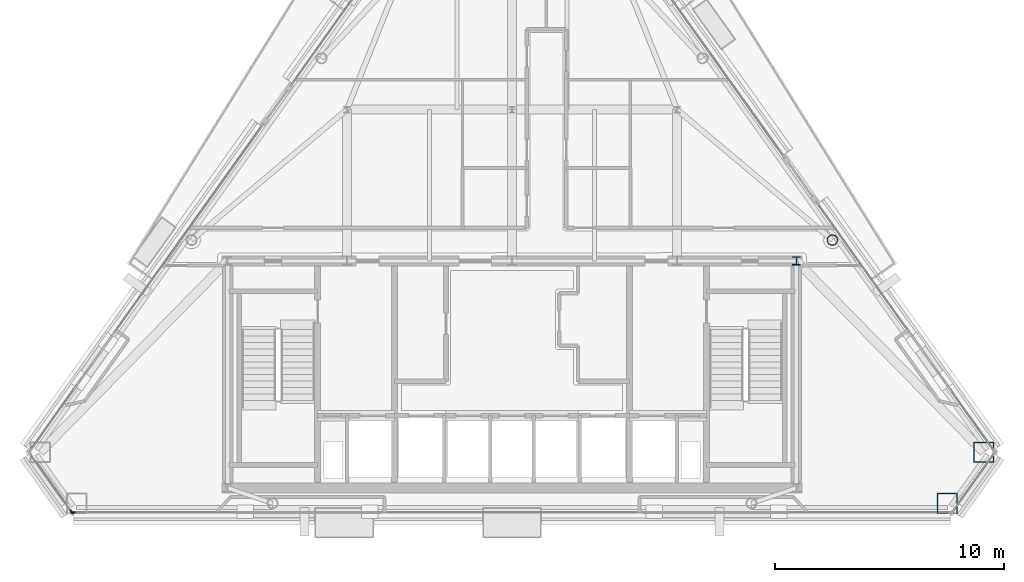
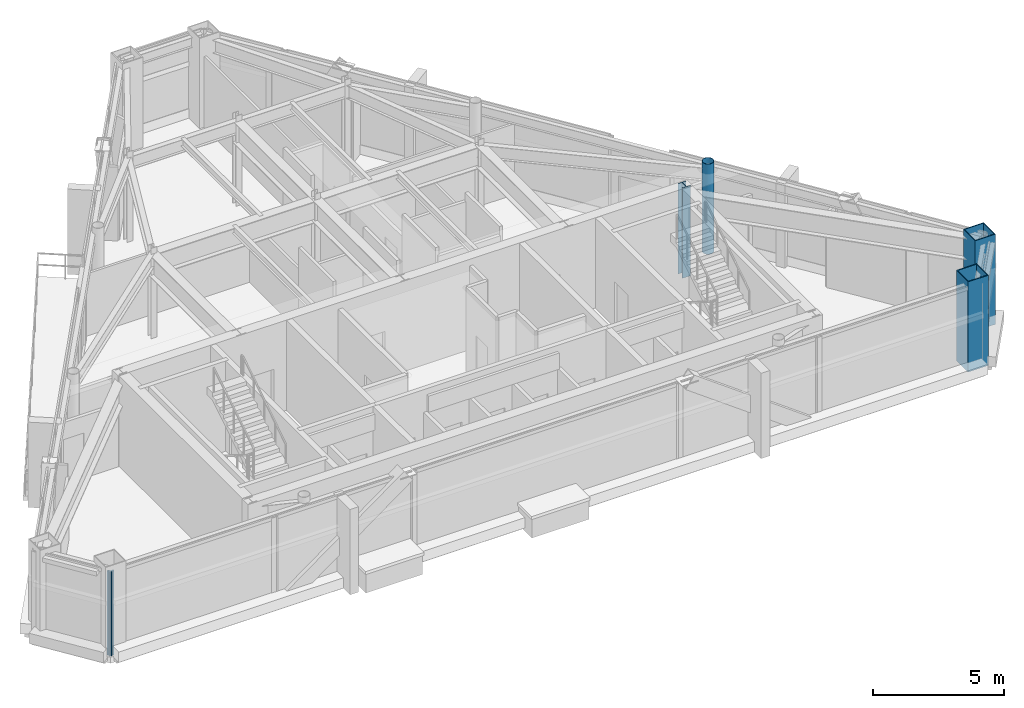
# One storey, part 3 of 12: 4 columns, 2 members, 2 elements without a shape of their own.
"""IFC4 building model written with IfcOpenShell, lengths in metres."""

import ifcopenshell
import ifcopenshell.guid

model = None  # the IFC model being written
_history = None  # IfcOwnerHistory: only IFC2X3 demands one
_inside = {}  # id of a spatial element -> (the spatial element, [elements in it])
_under = {}  # id of a project, library or spatial element -> (it, [spatial elements below it])
_declared = {}  # id of a project -> (the project, [libraries it declares])
_typed = {}  # id of a type object -> (the type object, [elements of that type])
_made_of = {}  # id of a material, layer set ... -> (it, [elements and type objects made of it])


def new_model(schema):
    """Start an empty IFC model of exactly this schema.

    Asked for "IFC4X3", IfcOpenShell would pick the latest addendum, in which some entities
    have other attributes; the version numbers below select the first issue.
    IFC2X3 requires an IfcOwnerHistory on every rooted entity: one is made here for all.
    """
    global model, _history
    if schema == "IFC4X3":
        model = ifcopenshell.file(schema_version=(4, 3, 0, 0))
    else:
        model = ifcopenshell.file(schema=schema)
    _inside.clear()
    _under.clear()
    _declared.clear()
    _typed.clear()
    _made_of.clear()
    _history = None
    if model.schema == "IFC2X3":
        org = make("IfcOrganization", Name="unknown")
        user = make(
            "IfcPersonAndOrganization",
            ThePerson=make("IfcPerson", FamilyName="unknown"),
            TheOrganization=org,
        )
        app = make(
            "IfcApplication",
            ApplicationDeveloper=org,
            Version="unknown",
            ApplicationFullName="unknown",
            ApplicationIdentifier="unknown",
        )
        _history = make(
            "IfcOwnerHistory",
            OwningUser=user,
            OwningApplication=app,
            ChangeAction="ADDED",
            CreationDate=0,
        )
    return model


def make(cls, **values):
    """One entity of the class cls with the attributes given. An attribute that is None is left unset."""
    return model.create_entity(
        cls, **{name: value for name, value in values.items() if value is not None}
    )


def rooted(cls, **values):
    """An entity with a GlobalId (a new one), such as an element, a storey or a relation."""
    return make(cls, GlobalId=ifcopenshell.guid.new(), OwnerHistory=_history, **values)


def si_unit(unit_type, name, prefix=None):
    """IfcSIUnit, for example si_unit("LENGTHUNIT", "METRE", prefix="MILLI")."""
    return make("IfcSIUnit", UnitType=unit_type, Prefix=prefix, Name=name)


def assignment(units):
    """IfcUnitAssignment: the units of a project."""
    return None if units is None else make("IfcUnitAssignment", Units=units)


def point(xyz):
    """IfcCartesianPoint."""
    return None if xyz is None else make("IfcCartesianPoint", Coordinates=xyz)


def direction(xyz):
    """IfcDirection."""
    return None if xyz is None else make("IfcDirection", DirectionRatios=xyz)


def frame(location, z_axis=None, x_axis=None):
    """IfcAxis2Placement3D, a coordinate frame: its origin and axes. An axis left out is left unset."""
    return make(
        "IfcAxis2Placement3D",
        Location=point(location),
        Axis=direction(z_axis),
        RefDirection=direction(x_axis),
    )


def frame_2d(location, x_axis=None):
    """IfcAxis2Placement2D, a coordinate frame in the plane: its origin and x axis."""
    return make(
        "IfcAxis2Placement2D", Location=point(location), RefDirection=direction(x_axis)
    )


def origin():
    """The frame at (0, 0, 0) with its axes left unset."""
    return frame((0.0, 0.0, 0.0))


def origin_2d():
    """The frame at (0, 0) in the plane with its x axis left unset."""
    return frame_2d((0.0, 0.0))


def place(relative_to, where):
    """IfcLocalPlacement: puts the frame where relative to a parent placement (None: the world)."""
    return make(
        "IfcLocalPlacement", PlacementRelTo=relative_to, RelativePlacement=where
    )


def context(
    kind, dimensions, precision=None, world=None, true_north=None, identifier=None
):
    """IfcGeometricRepresentationContext, for example the 3D "Model" context."""
    return make(
        "IfcGeometricRepresentationContext",
        ContextIdentifier=identifier,
        ContextType=kind,
        CoordinateSpaceDimension=dimensions,
        Precision=precision,
        WorldCoordinateSystem=world,
        TrueNorth=true_north,
    )


def subcontext(parent, identifier, kind, view, scale=None):
    """IfcGeometricRepresentationSubContext, for example "Body" below "Model"."""
    return make(
        "IfcGeometricRepresentationSubContext",
        ContextIdentifier=identifier,
        ContextType=kind,
        ParentContext=parent,
        TargetScale=scale,
        TargetView=view,
    )


def project(units=None, contexts=None):
    """IfcProject with its units and contexts."""
    return rooted(
        "IfcProject",
        Name="project",
        RepresentationContexts=contexts,
        UnitsInContext=assignment(units),
    )


def spatial(cls, under=None, at=None, **own):
    """A site, building, storey or space (cls), placed at a placement, below another one or the project."""
    s = rooted(cls, ObjectPlacement=at, **own)
    if under is not None:
        _under.setdefault(under.id(), (under, []))[1].append(s)
    return s


def profile(cls, at=None, kind="AREA", **sizes):
    """A parametric profile (cls). Its sizes go by their IFC names, for example OverallWidth=200.0."""
    return make(cls, ProfileType=kind, Position=at, **sizes)


def rectangle(**sizes):
    """IfcRectangleProfileDef."""
    return profile("IfcRectangleProfileDef", **sizes)


def hollow_rectangle(**sizes):
    """IfcRectangleHollowProfileDef."""
    return profile("IfcRectangleHollowProfileDef", **sizes)


def hollow_circle(**sizes):
    """IfcCircleHollowProfileDef."""
    return profile("IfcCircleHollowProfileDef", **sizes)


def i_section(**sizes):
    """IfcIShapeProfileDef."""
    return profile("IfcIShapeProfileDef", **sizes)


def extrude(swept, where, along, depth):
    """IfcExtrudedAreaSolid: the profile swept, set in the frame where, extruded along a direction by depth."""
    return make(
        "IfcExtrudedAreaSolid",
        SweptArea=swept,
        Position=where,
        ExtrudedDirection=direction(along),
        Depth=depth,
    )


def shape(context_of_items, identifier, shape_type, items):
    """IfcShapeRepresentation: the items that make up one representation, for example the "Body"."""
    return make(
        "IfcShapeRepresentation",
        ContextOfItems=context_of_items,
        RepresentationIdentifier=identifier,
        RepresentationType=shape_type,
        Items=items,
    )


def material(Name=None, Category=None):
    """IfcMaterial."""
    return make("IfcMaterial", Name=Name, Category=Category)


def layer(
    of_material, thickness, ventilated=None, Name=None, Category=None, Priority=None
):
    """IfcMaterialLayer: one layer of a wall or slab, of a material (None: an air gap)."""
    return make(
        "IfcMaterialLayer",
        Material=of_material,
        LayerThickness=thickness,
        IsVentilated=ventilated,
        Name=Name,
        Category=Category,
        Priority=Priority,
    )


def layer_set(layers, Name=None):
    """IfcMaterialLayerSet."""
    return make("IfcMaterialLayerSet", MaterialLayers=layers, LayerSetName=Name)


def material_profile(
    of_material, cross_section, Name=None, Category=None, Priority=None
):
    """IfcMaterialProfile: a cross section and its material."""
    return make(
        "IfcMaterialProfile",
        Name=Name,
        Material=of_material,
        Profile=cross_section,
        Priority=Priority,
        Category=Category,
    )


def profile_set(profiles, Name=None, composite=None):
    """IfcMaterialProfileSet."""
    return make(
        "IfcMaterialProfileSet",
        Name=Name,
        MaterialProfiles=profiles,
        CompositeProfile=composite,
    )


def made_of(thing, what):
    """Note that an element or type object is made of a material, layer set ...; save() writes the relation."""
    if what is not None:
        _made_of.setdefault(what.id(), (what, []))[1].append(thing)
    return thing


def type_object(cls, material=None, **own):
    """A type object (cls), such as IfcWallType, which elements share."""
    return made_of(rooted(cls, **own), material)


def element(
    cls,
    number,
    at=None,
    inside=None,
    cuts=None,
    type_object=None,
    material=None,
    context=None,
    identifier="Body",
    shape_type=None,
    held_by="IfcProductDefinitionShape",
    body=None,
    shapes=None,
    **own,
):
    """One element of the class cls, such as IfcWall. Its Tag is "e" and its number.

    at: its placement. inside: the storey or other place that contains it. cuts: it is an
    opening in that element (IfcRelVoidsElement). A single representation is given by context,
    identifier, shape_type and body (its items); several are given by shapes. held_by: the class
    of the entity that holds the representations. save() writes the other relations.
    """
    e = rooted(cls, Tag="e%d" % number, ObjectPlacement=at, **own)
    if body is not None:
        shapes = [shape(context, identifier, shape_type, body)]
    if shapes is not None:
        e.Representation = make(held_by, Representations=shapes)
    if inside is not None:
        _inside.setdefault(inside.id(), (inside, []))[1].append(e)
    if cuts is not None:
        rooted(
            "IfcRelVoidsElement", RelatingBuildingElement=cuts, RelatedOpeningElement=e
        )
    if type_object is not None:
        _typed.setdefault(type_object.id(), (type_object, []))[1].append(e)
    return made_of(e, material)


def aggregate(whole, parts):
    """IfcRelAggregates: a whole, such as a stair, and the parts it consists of."""
    return rooted("IfcRelAggregates", RelatingObject=whole, RelatedObjects=parts)


def save(model, path):
    """Write the relations noted so far, then the file.

    IfcRelAggregates (storeys below a building ...), IfcRelContainedInSpatialStructure (elements
    in a storey), IfcRelDefinesByType, IfcRelAssociatesMaterial and IfcRelDeclares: one each for
    every whole, place, type object, material and project.
    """
    for whole, parts in _under.values():
        aggregate(whole, parts)
    for where, things in _inside.values():
        rooted(
            "IfcRelContainedInSpatialStructure",
            RelatedElements=things,
            RelatingStructure=where,
        )
    for kind, things in _typed.values():
        rooted("IfcRelDefinesByType", RelatedObjects=things, RelatingType=kind)
    for what, things in _made_of.values():
        rooted("IfcRelAssociatesMaterial", RelatedObjects=things, RelatingMaterial=what)
    for by, libraries in _declared.values():
        rooted("IfcRelDeclares", RelatingContext=by, RelatedDefinitions=libraries)
    model.write(path)


model = new_model("IFC4")

# Units and contexts
model_context = context("Model", 3, precision=1e-05, world=origin(), true_north=direction((0.0, 1.0)))
body_context = subcontext(model_context, "Body", "Model", "MODEL_VIEW")
ifc_project = project(units=[si_unit("LENGTHUNIT", "METRE"), si_unit("AREAUNIT", "SQUARE_METRE"), si_unit("VOLUMEUNIT", "CUBIC_METRE"), si_unit("PLANEANGLEUNIT", "RADIAN"), si_unit("MASSUNIT", "GRAM", prefix="KILO")], contexts=[model_context])

# Site, building, storey
site_placement = place(None, origin())
site = spatial("IfcSite", under=ifc_project, at=site_placement, CompositionType="ELEMENT")
building_placement = place(site_placement, origin())
building = spatial("IfcBuilding", under=site, at=building_placement, Name="Talgorran Terracotta Tower", CompositionType="ELEMENT")
storey_placement = place(building_placement, frame((0.0, 0.0, 285.0)))
storey = spatial("IfcBuildingStorey", under=building, at=storey_placement, Name="L75", CompositionType="ELEMENT", Elevation=285.0)

# Columns
ifc_material_1 = material(Name="Steel S355 (300PLUS)", Category="steel")
ifc_material_profile_1 = material_profile(ifc_material_1, i_section(OverallWidth=0.35205078125, OverallDepth=0.35888671875, WebThickness=0.01806640625, FlangeThickness=0.02587890625, at=origin_2d()), Name="350WC197")
ifc_profile_set_1 = profile_set([ifc_material_profile_1], Name="Steel S355 (300PLUS)")
column_type_1 = type_object("IfcColumnType", Name="COL_350WC197", PredefinedType="COLUMN", material=ifc_profile_set_1)
column_1_placement = place(storey_placement, frame((12.39990234375, -4.199951171875, 0.0), z_axis=(0.0, 0.0, 1.0), x_axis=(1.0, 0.0, 0.0)))
element("IfcColumn", 1, at=column_1_placement, inside=storey, type_object=column_type_1, Name="L75 Core Boundary Column CC3", PredefinedType="COLUMN", context=body_context, shape_type="SweptSolid", body=[
    extrude(i_section(OverallWidth=0.35205078125, OverallDepth=0.35888671875, WebThickness=0.01806640625, FlangeThickness=0.02587890625, at=origin_2d()), origin(), (0.0, 0.0, 1.0), 4.199951171875),
])
ifc_material_2 = material(Name="Steel Grade 350 (350L0)", Category="steel")
ifc_material_profile_2 = material_profile(ifc_material_2, hollow_rectangle(XDim=0.89990234375, YDim=0.89990234375, WallThickness=0.0400390625, at=origin_2d()), Name="CFT900X900X40")
ifc_profile_set_2 = profile_set([ifc_material_profile_2], Name="Steel Grade 350 (350L0)")
column_type_2 = type_object("IfcColumnType", Name="COL_CFT_900", PredefinedType="COLUMN", material=ifc_profile_set_2)
for number, where, z_axis, x_axis, name in (
    (2, (18.984619140625, -14.7744140625, 0.0), (0.0, 0.0, 1.0), (1.0, 0.0, 0.0), "L75 Corner CFT Mega-Column MC3"),
    (3, (20.578857421875, -12.542724609375, 0.0), (0.0, 0.0, 1.0), (1.0, 0.0, 0.0), "L75 Corner CFT Mega-Column MC4"),
):
    element("IfcColumn", number, at=place(storey_placement, frame(where, z_axis=z_axis, x_axis=x_axis)), inside=storey, type_object=column_type_2, Name=name, PredefinedType="COLUMN", context=body_context, shape_type="SweptSolid", body=[
        extrude(hollow_rectangle(XDim=0.89990234375, YDim=0.89990234375, WallThickness=0.0400390625, at=origin_2d()), origin(), (0.0, 0.0, 1.0), 4.199951171875),
    ])
ifc_material_3 = material(Name="Steel S350 (C350L0)", Category="steel")
ifc_material_profile_3 = material_profile(ifc_material_3, hollow_circle(Radius=0.228515625, WallThickness=0.01611328125, at=origin_2d()), Name="CHS457X16")
ifc_profile_set_3 = profile_set([ifc_material_profile_3], Name="Steel S350 (C350L0)")
column_type_3 = type_object("IfcColumnType", Name="COL_CHS_457", PredefinedType="COLUMN", material=ifc_profile_set_3)
column_2_placement = place(storey_placement, frame((13.970458984375, -3.29150390625, 0.0), z_axis=(0.0, 0.0, 1.0), x_axis=(1.0, 0.0, 0.0)))
element("IfcColumn", 4, at=column_2_placement, inside=storey, type_object=column_type_3, Name="L75 Facet Perimeter Column FC3", PredefinedType="COLUMN", context=body_context, shape_type="SweptSolid", body=[
    extrude(hollow_circle(Radius=0.228515625, WallThickness=0.01611328125, at=origin_2d()), origin(), (0.0, 0.0, 1.0), 4.199951171875),
])

# Curtain wall, member
ifc_material_4 = material(Name="High-Wind Unitised Glazing", Category="glass")
ifc_layer = layer(ifc_material_4, 0.2099609375, Name="CW_SYS3_RES_HIGH")
ifc_layer_set = layer_set([ifc_layer], Name="High-Wind Unitised Glazing")
curtain_wall_type = type_object("IfcCurtainWallType", Name="CW_SYS3_RES_HIGH", PredefinedType="NOTDEFINED", material=ifc_layer_set)
curtain_wall_1_placement = place(storey_placement, origin())
curtain_wall_1 = element("IfcCurtainWall", 5, at=curtain_wall_1_placement, inside=storey, type_object=curtain_wall_type, Name="CW-L75-F0", PredefinedType="NOTDEFINED")
ifc_material_5 = material(Name="Architectural Aluminium 6063-T6", Category="aluminium")
ifc_material_profile_4 = material_profile(ifc_material_5, rectangle(XDim=0.070068359375, YDim=0.199951171875, at=origin_2d()), Name="CWM70X200")
ifc_profile_set_4 = profile_set([ifc_material_profile_4], Name="Architectural Aluminium 6063-T6")
member_type = type_object("IfcMemberType", Name="MUL_70X200", PredefinedType="MULLION", material=ifc_profile_set_4)
member_1_placement = place(storey_placement, frame((-19.2109375, -15.14599609375, 0.0), z_axis=(0.0, 0.0, 1.0), x_axis=(0.813720935413, 0.58125574343, 0.0)))
member_1 = element("IfcMember", 6, at=member_1_placement, type_object=member_type, Name="CW-L75-0 mullion 2", PredefinedType="MULLION", context=body_context, shape_type="SweptSolid", body=[
    extrude(rectangle(XDim=0.070068359375, YDim=0.199951171875, at=origin_2d()), origin(), (0.0, 0.0, 1.0), 3.919921875),
])
aggregate(curtain_wall_1, [member_1])

curtain_wall_2_placement = place(storey_placement, origin())
curtain_wall_2 = element("IfcCurtainWall", 7, at=curtain_wall_2_placement, inside=storey, type_object=curtain_wall_type, Name="CW-L75-F1", PredefinedType="NOTDEFINED")
member_2_placement = place(storey_placement, frame((-19.155517578125, -15.17431640625, 0.0), z_axis=(0.0, 0.0, 1.0), x_axis=(0.0, 1.0, 0.0)))
member_2 = element("IfcMember", 8, at=member_2_placement, type_object=member_type, Name="CW-L75-1 mullion 1", PredefinedType="MULLION", context=body_context, shape_type="SweptSolid", body=[
    extrude(rectangle(XDim=0.070068359375, YDim=0.199951171875, at=origin_2d()), origin(), (0.0, 0.0, 1.0), 3.919921875),
])
aggregate(curtain_wall_2, [member_2])

save(model, "model.ifc")
